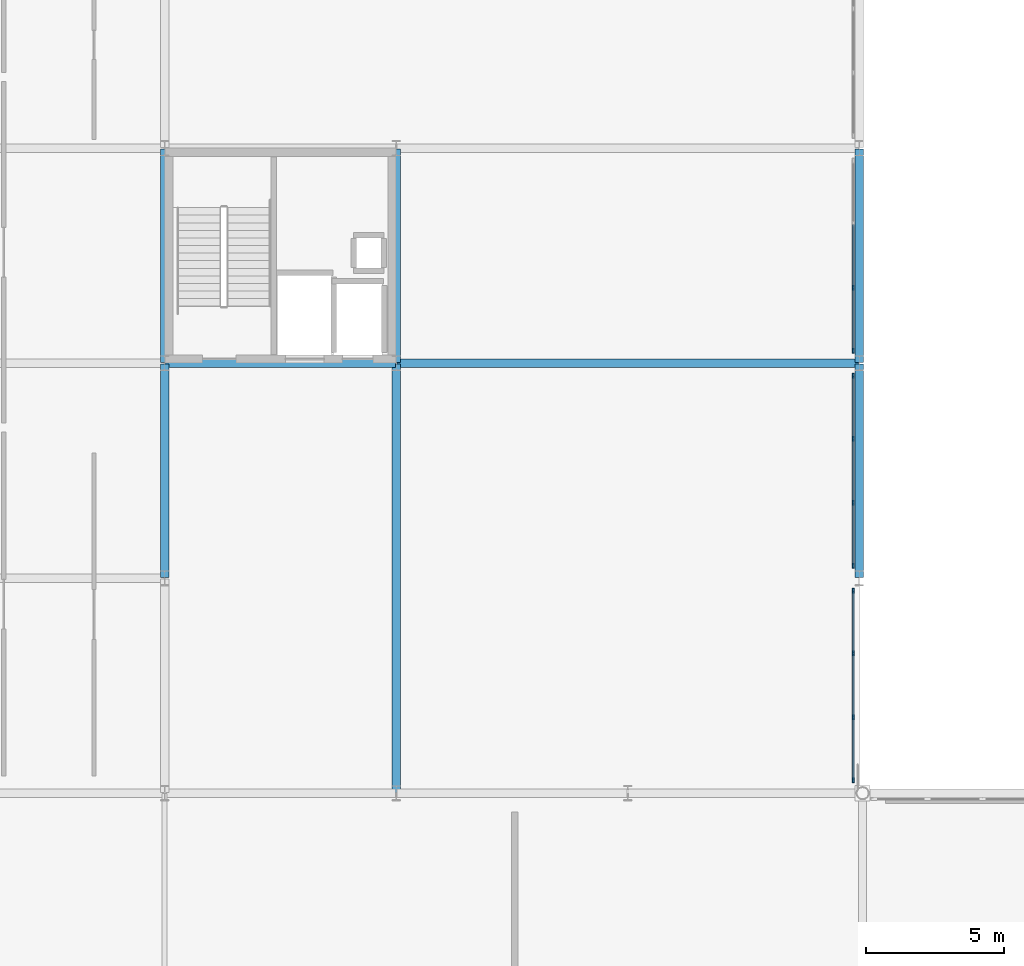
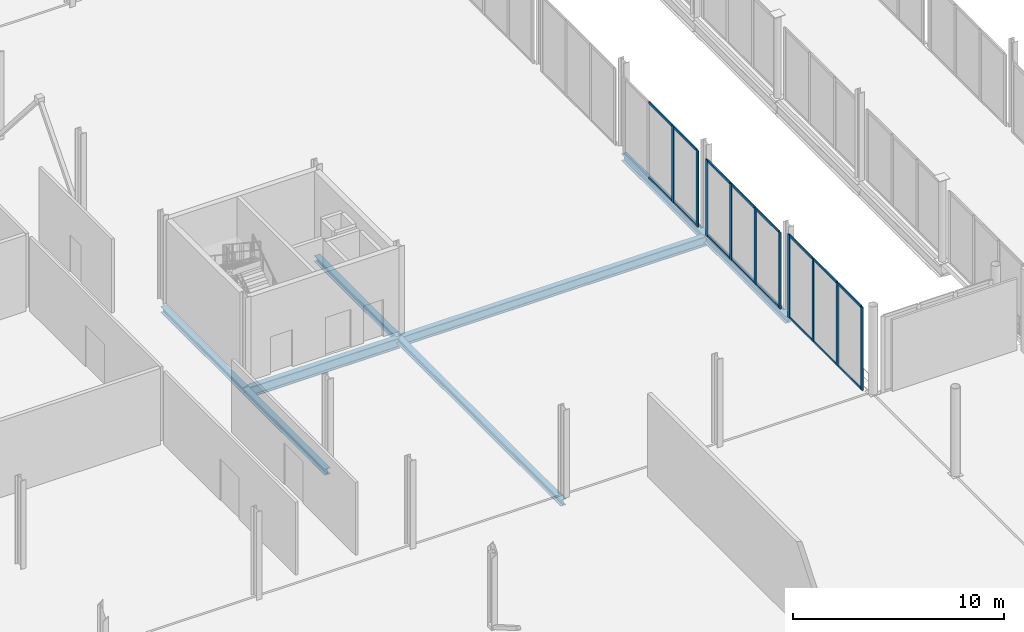
# One storey, part 32 of 105: 26 members, 8 beams, 3 elements without a shape of their own.
"""IFC4 building model written with IfcOpenShell, lengths in metres."""

from ifc_helpers import new_model, si_unit, direction, frame, origin, origin_2d, place, context, subcontext, project, spatial, rectangle, i_section, extrude, material, material_profile, profile_set, type_object, element, aggregate, save


model = new_model("IFC4")

# Units and contexts
model_context = context("Model", 3, precision=1e-05, world=origin(), true_north=direction((0.0, 1.0)))
body_context = subcontext(model_context, "Body", "Model", "MODEL_VIEW")
ifc_project = project(units=[si_unit("LENGTHUNIT", "METRE"), si_unit("AREAUNIT", "SQUARE_METRE"), si_unit("VOLUMEUNIT", "CUBIC_METRE"), si_unit("PLANEANGLEUNIT", "RADIAN"), si_unit("MASSUNIT", "GRAM", prefix="KILO")], contexts=[model_context])

# Site, building, storey
site_placement = place(None, origin())
site = spatial("IfcSite", under=ifc_project, at=site_placement, CompositionType="ELEMENT")
building_placement = place(site_placement, origin())
building = spatial("IfcBuilding", under=site, at=building_placement, Name="Nabrawat Pavilion Hospital", CompositionType="ELEMENT")
storey_placement = place(building_placement, frame((0.0, 0.0, 5.10009765625)))
storey = spatial("IfcBuildingStorey", under=building, at=storey_placement, Name="L01", CompositionType="ELEMENT", Elevation=5.10009765625)

# Curtain wall, members
ifc_material_1 = material(Name="Anodised Aluminium", Category="aluminium")
curtain_wall_type = type_object("IfcCurtainWallType", Name="Healing Garden Cloister Curtain Wall", PredefinedType="USERDEFINED", material=ifc_material_1)
curtain_wall_1_placement = place(storey_placement, origin())
curtain_wall_1 = element("IfcCurtainWall", 1, at=curtain_wall_1_placement, inside=storey, type_object=curtain_wall_type, Name="L01 Healing Garden Cloister Curtain Wall 043", ObjectType="CURTAIN WALL", PredefinedType="USERDEFINED")
ifc_material_profile_1 = material_profile(ifc_material_1, rectangle(XDim=0.06494140625, YDim=0.179931640625, at=origin_2d()), Name="CWM 65x180")
ifc_profile_set_1 = profile_set([ifc_material_profile_1], Name="Anodised Aluminium")
member_type_1 = type_object("IfcMemberType", Name="Healing Garden Cloister Curtain Wall Mullion CWM 65x180", PredefinedType="MULLION", material=ifc_profile_set_1)
member_1_placement = place(storey_placement, frame((58.580078125, 39.472412109375, 0.0), z_axis=(0.0, 0.0, 1.0), x_axis=(-1.0, 0.0, 0.0)))
member_1 = element("IfcMember", 2, at=member_1_placement, type_object=member_type_1, Name="CW-CLN-01 mullion 1", PredefinedType="MULLION", context=body_context, shape_type="SweptSolid", body=[
    extrude(rectangle(XDim=0.06494140625, YDim=0.179931640625, at=origin_2d()), origin(), (0.0, 0.0, 1.0), 4.809814453125),
])
member_2_placement = place(storey_placement, frame((58.580078125, 41.7548828125, 0.0), z_axis=(0.0, 0.0, 1.0), x_axis=(-1.0, 0.0, 0.0)))
member_2 = element("IfcMember", 3, at=member_2_placement, type_object=member_type_1, Name="CW-CLN-01 mullion 2", PredefinedType="MULLION", context=body_context, shape_type="SweptSolid", body=[
    extrude(rectangle(XDim=0.06494140625, YDim=0.179931640625, at=origin_2d()), origin(), (0.0, 0.0, 1.0), 4.809814453125),
])
member_3_placement = place(storey_placement, frame((58.580078125, 44.070068359375, 0.0), z_axis=(0.0, 0.0, 1.0), x_axis=(-1.0, 0.0, 0.0)))
member_3 = element("IfcMember", 4, at=member_3_placement, type_object=member_type_1, Name="CW-CLN-01 mullion 3", PredefinedType="MULLION", context=body_context, shape_type="SweptSolid", body=[
    extrude(rectangle(XDim=0.06494140625, YDim=0.179931640625, at=origin_2d()), origin(), (0.0, 0.0, 1.0), 4.809814453125),
])
member_4_placement = place(storey_placement, frame((58.580078125, 46.3525390625, 0.0), z_axis=(0.0, 0.0, 1.0), x_axis=(-1.0, 0.0, 0.0)))
member_4 = element("IfcMember", 5, at=member_4_placement, type_object=member_type_1, Name="CW-CLN-01 mullion 4", PredefinedType="MULLION", context=body_context, shape_type="SweptSolid", body=[
    extrude(rectangle(XDim=0.06494140625, YDim=0.179931640625, at=origin_2d()), origin(), (0.0, 0.0, 1.0), 4.809814453125),
])

curtain_wall_2_placement = place(storey_placement, origin())
curtain_wall_2 = element("IfcCurtainWall", 6, at=curtain_wall_2_placement, inside=storey, type_object=curtain_wall_type, Name="L01 Healing Garden Cloister Curtain Wall 044", ObjectType="CURTAIN WALL", PredefinedType="USERDEFINED")
member_5_placement = place(storey_placement, frame((58.580078125, 47.24755859375, 0.0), z_axis=(0.0, 0.0, 1.0), x_axis=(-1.0, 0.0, 0.0)))
member_5 = element("IfcMember", 7, at=member_5_placement, type_object=member_type_1, Name="CW-CLN-01 mullion 1", PredefinedType="MULLION", context=body_context, shape_type="SweptSolid", body=[
    extrude(rectangle(XDim=0.06494140625, YDim=0.179931640625, at=origin_2d()), origin(), (0.0, 0.0, 1.0), 4.419921875),
])
member_6_placement = place(storey_placement, frame((58.580078125, 49.538330078125, 0.0), z_axis=(0.0, 0.0, 1.0), x_axis=(-1.0, 0.0, 0.0)))
member_6 = element("IfcMember", 8, at=member_6_placement, type_object=member_type_1, Name="CW-CLN-01 mullion 2", PredefinedType="MULLION", context=body_context, shape_type="SweptSolid", body=[
    extrude(rectangle(XDim=0.06494140625, YDim=0.179931640625, at=origin_2d()), origin(), (0.0, 0.0, 1.0), 4.419921875),
])
member_7_placement = place(storey_placement, frame((58.580078125, 51.861572265625, 0.0), z_axis=(0.0, 0.0, 1.0), x_axis=(-1.0, 0.0, 0.0)))
member_7 = element("IfcMember", 9, at=member_7_placement, type_object=member_type_1, Name="CW-CLN-01 mullion 3", PredefinedType="MULLION", context=body_context, shape_type="SweptSolid", body=[
    extrude(rectangle(XDim=0.06494140625, YDim=0.179931640625, at=origin_2d()), origin(), (0.0, 0.0, 1.0), 4.419921875),
])
member_8_placement = place(storey_placement, frame((58.580078125, 54.152587890625, 0.0), z_axis=(0.0, 0.0, 1.0), x_axis=(-1.0, 0.0, 0.0)))
member_8 = element("IfcMember", 10, at=member_8_placement, type_object=member_type_1, Name="CW-CLN-01 mullion 4", PredefinedType="MULLION", context=body_context, shape_type="SweptSolid", body=[
    extrude(rectangle(XDim=0.06494140625, YDim=0.179931640625, at=origin_2d()), origin(), (0.0, 0.0, 1.0), 4.419921875),
])

curtain_wall_3_placement = place(storey_placement, origin())
curtain_wall_3 = element("IfcCurtainWall", 11, at=curtain_wall_3_placement, inside=storey, type_object=curtain_wall_type, Name="L01 Healing Garden Cloister Curtain Wall 045", ObjectType="CURTAIN WALL", PredefinedType="USERDEFINED")
member_9_placement = place(storey_placement, frame((58.580078125, 55.047607421875, 0.0), z_axis=(0.0, 0.0, 1.0), x_axis=(-1.0, 0.0, 0.0)))
member_9 = element("IfcMember", 12, at=member_9_placement, type_object=member_type_1, Name="CW-CLN-01 mullion 1", PredefinedType="MULLION", context=body_context, shape_type="SweptSolid", body=[
    extrude(rectangle(XDim=0.06494140625, YDim=0.179931640625, at=origin_2d()), origin(), (0.0, 0.0, 1.0), 4.419921875),
])
member_10_placement = place(storey_placement, frame((58.580078125, 57.33837890625, 0.0), z_axis=(0.0, 0.0, 1.0), x_axis=(-1.0, 0.0, 0.0)))
member_10 = element("IfcMember", 13, at=member_10_placement, type_object=member_type_1, Name="CW-CLN-01 mullion 2", PredefinedType="MULLION", context=body_context, shape_type="SweptSolid", body=[
    extrude(rectangle(XDim=0.06494140625, YDim=0.179931640625, at=origin_2d()), origin(), (0.0, 0.0, 1.0), 4.419921875),
])

# Member
ifc_material_profile_2 = material_profile(ifc_material_1, rectangle(XDim=0.06494140625, YDim=0.135009765625, at=origin_2d()), Name="CWT 65x135")
ifc_profile_set_2 = profile_set([ifc_material_profile_2], Name="Anodised Aluminium")
member_type_2 = type_object("IfcMemberType", Name="Healing Garden Cloister Curtain Wall Transom CWT 65x135", PredefinedType="USERDEFINED", material=ifc_profile_set_2)
member_11_placement = place(storey_placement, frame((58.580078125, 39.5048828125, 0.032470703125), z_axis=(0.0, 1.0, 0.0), x_axis=(-1.0, 0.0, 0.0)))
member_11 = element("IfcMember", 14, at=member_11_placement, type_object=member_type_2, Name="CW-CLN-01 transom 1.1", ObjectType="TRANSOM", PredefinedType="USERDEFINED", context=body_context, shape_type="SweptSolid", body=[
    extrude(rectangle(XDim=0.06494140625, YDim=0.135009765625, at=origin_2d()), origin(), (0.0, 0.0, 1.0), 2.217529296875),
])

member_12_placement = place(storey_placement, frame((58.580078125, 39.5048828125, 4.77734375), z_axis=(0.0, 1.0, 0.0), x_axis=(-1.0, 0.0, 0.0)))
member_12 = element("IfcMember", 15, at=member_12_placement, type_object=member_type_2, Name="CW-CLN-01 transom 1.2", ObjectType="TRANSOM", PredefinedType="USERDEFINED", context=body_context, shape_type="SweptSolid", body=[
    extrude(rectangle(XDim=0.06494140625, YDim=0.135009765625, at=origin_2d()), origin(), (0.0, 0.0, 1.0), 2.217529296875),
])

member_13_placement = place(storey_placement, frame((58.580078125, 41.78759765625, 0.032470703125), z_axis=(0.0, 1.0, 0.0), x_axis=(-1.0, 0.0, 0.0)))
member_13 = element("IfcMember", 16, at=member_13_placement, type_object=member_type_2, Name="CW-CLN-01 transom 2.1", ObjectType="TRANSOM", PredefinedType="USERDEFINED", context=body_context, shape_type="SweptSolid", body=[
    extrude(rectangle(XDim=0.06494140625, YDim=0.135009765625, at=origin_2d()), origin(), (0.0, 0.0, 1.0), 2.25),
])

member_14_placement = place(storey_placement, frame((58.580078125, 41.78759765625, 4.77734375), z_axis=(0.0, 1.0, 0.0), x_axis=(-1.0, 0.0, 0.0)))
member_14 = element("IfcMember", 17, at=member_14_placement, type_object=member_type_2, Name="CW-CLN-01 transom 2.2", ObjectType="TRANSOM", PredefinedType="USERDEFINED", context=body_context, shape_type="SweptSolid", body=[
    extrude(rectangle(XDim=0.06494140625, YDim=0.135009765625, at=origin_2d()), origin(), (0.0, 0.0, 1.0), 2.25),
])

member_15_placement = place(storey_placement, frame((58.580078125, 44.1025390625, 0.032470703125), z_axis=(0.0, 1.0, 0.0), x_axis=(-1.0, 0.0, 0.0)))
member_15 = element("IfcMember", 18, at=member_15_placement, type_object=member_type_2, Name="CW-CLN-01 transom 3.1", ObjectType="TRANSOM", PredefinedType="USERDEFINED", context=body_context, shape_type="SweptSolid", body=[
    extrude(rectangle(XDim=0.06494140625, YDim=0.135009765625, at=origin_2d()), origin(), (0.0, 0.0, 1.0), 2.217529296875),
])

member_16_placement = place(storey_placement, frame((58.580078125, 44.1025390625, 4.77734375), z_axis=(0.0, 1.0, 0.0), x_axis=(-1.0, 0.0, 0.0)))
member_16 = element("IfcMember", 19, at=member_16_placement, type_object=member_type_2, Name="CW-CLN-01 transom 3.2", ObjectType="TRANSOM", PredefinedType="USERDEFINED", context=body_context, shape_type="SweptSolid", body=[
    extrude(rectangle(XDim=0.06494140625, YDim=0.135009765625, at=origin_2d()), origin(), (0.0, 0.0, 1.0), 2.217529296875),
])

aggregate(curtain_wall_1, [member_1, member_2, member_3, member_4, member_11, member_12, member_13, member_14, member_15, member_16])

member_17_placement = place(storey_placement, frame((58.580078125, 47.280029296875, 0.032470703125), z_axis=(0.0, 1.0, 0.0), x_axis=(-1.0, 0.0, 0.0)))
member_17 = element("IfcMember", 20, at=member_17_placement, type_object=member_type_2, Name="CW-CLN-01 transom 1.1", ObjectType="TRANSOM", PredefinedType="USERDEFINED", context=body_context, shape_type="SweptSolid", body=[
    extrude(rectangle(XDim=0.06494140625, YDim=0.135009765625, at=origin_2d()), origin(), (0.0, 0.0, 1.0), 2.225830078125),
])

member_18_placement = place(storey_placement, frame((58.580078125, 47.280029296875, 4.387451171875), z_axis=(0.0, 1.0, 0.0), x_axis=(-1.0, 0.0, 0.0)))
member_18 = element("IfcMember", 21, at=member_18_placement, type_object=member_type_2, Name="CW-CLN-01 transom 1.2", ObjectType="TRANSOM", PredefinedType="USERDEFINED", context=body_context, shape_type="SweptSolid", body=[
    extrude(rectangle(XDim=0.06494140625, YDim=0.135009765625, at=origin_2d()), origin(), (0.0, 0.0, 1.0), 2.225830078125),
])

member_19_placement = place(storey_placement, frame((58.580078125, 49.57080078125, 0.032470703125), z_axis=(0.0, 1.0, 0.0), x_axis=(-1.0, 0.0, 0.0)))
member_19 = element("IfcMember", 22, at=member_19_placement, type_object=member_type_2, Name="CW-CLN-01 transom 2.1", ObjectType="TRANSOM", PredefinedType="USERDEFINED", context=body_context, shape_type="SweptSolid", body=[
    extrude(rectangle(XDim=0.06494140625, YDim=0.135009765625, at=origin_2d()), origin(), (0.0, 0.0, 1.0), 2.25830078125),
])

member_20_placement = place(storey_placement, frame((58.580078125, 49.57080078125, 4.387451171875), z_axis=(0.0, 1.0, 0.0), x_axis=(-1.0, 0.0, 0.0)))
member_20 = element("IfcMember", 23, at=member_20_placement, type_object=member_type_2, Name="CW-CLN-01 transom 2.2", ObjectType="TRANSOM", PredefinedType="USERDEFINED", context=body_context, shape_type="SweptSolid", body=[
    extrude(rectangle(XDim=0.06494140625, YDim=0.135009765625, at=origin_2d()), origin(), (0.0, 0.0, 1.0), 2.25830078125),
])

member_21_placement = place(storey_placement, frame((58.580078125, 51.894287109375, 0.032470703125), z_axis=(0.0, 1.0, 0.0), x_axis=(-1.0, 0.0, 0.0)))
member_21 = element("IfcMember", 24, at=member_21_placement, type_object=member_type_2, Name="CW-CLN-01 transom 3.1", ObjectType="TRANSOM", PredefinedType="USERDEFINED", context=body_context, shape_type="SweptSolid", body=[
    extrude(rectangle(XDim=0.06494140625, YDim=0.135009765625, at=origin_2d()), origin(), (0.0, 0.0, 1.0), 2.225830078125),
])

member_22_placement = place(storey_placement, frame((58.580078125, 51.894287109375, 4.387451171875), z_axis=(0.0, 1.0, 0.0), x_axis=(-1.0, 0.0, 0.0)))
member_22 = element("IfcMember", 25, at=member_22_placement, type_object=member_type_2, Name="CW-CLN-01 transom 3.2", ObjectType="TRANSOM", PredefinedType="USERDEFINED", context=body_context, shape_type="SweptSolid", body=[
    extrude(rectangle(XDim=0.06494140625, YDim=0.135009765625, at=origin_2d()), origin(), (0.0, 0.0, 1.0), 2.225830078125),
])

aggregate(curtain_wall_2, [member_5, member_6, member_7, member_8, member_17, member_18, member_19, member_20, member_21, member_22])

member_23_placement = place(storey_placement, frame((58.580078125, 55.080078125, 0.032470703125), z_axis=(0.0, 1.0, 0.0), x_axis=(-1.0, 0.0, 0.0)))
member_23 = element("IfcMember", 26, at=member_23_placement, type_object=member_type_2, Name="CW-CLN-01 transom 1.1", ObjectType="TRANSOM", PredefinedType="USERDEFINED", context=body_context, shape_type="SweptSolid", body=[
    extrude(rectangle(XDim=0.06494140625, YDim=0.135009765625, at=origin_2d()), origin(), (0.0, 0.0, 1.0), 2.225830078125),
])

member_24_placement = place(storey_placement, frame((58.580078125, 55.080078125, 4.387451171875), z_axis=(0.0, 1.0, 0.0), x_axis=(-1.0, 0.0, 0.0)))
member_24 = element("IfcMember", 27, at=member_24_placement, type_object=member_type_2, Name="CW-CLN-01 transom 1.2", ObjectType="TRANSOM", PredefinedType="USERDEFINED", context=body_context, shape_type="SweptSolid", body=[
    extrude(rectangle(XDim=0.06494140625, YDim=0.135009765625, at=origin_2d()), origin(), (0.0, 0.0, 1.0), 2.225830078125),
])

member_25_placement = place(storey_placement, frame((58.580078125, 57.370849609375, 0.032470703125), z_axis=(0.0, 1.0, 0.0), x_axis=(-1.0, 0.0, 0.0)))
member_25 = element("IfcMember", 28, at=member_25_placement, type_object=member_type_2, Name="CW-CLN-01 transom 2.1", ObjectType="TRANSOM", PredefinedType="USERDEFINED", context=body_context, shape_type="SweptSolid", body=[
    extrude(rectangle(XDim=0.06494140625, YDim=0.135009765625, at=origin_2d()), origin(), (0.0, 0.0, 1.0), 2.25830078125),
])

member_26_placement = place(storey_placement, frame((58.580078125, 57.370849609375, 4.387451171875), z_axis=(0.0, 1.0, 0.0), x_axis=(-1.0, 0.0, 0.0)))
member_26 = element("IfcMember", 29, at=member_26_placement, type_object=member_type_2, Name="CW-CLN-01 transom 2.2", ObjectType="TRANSOM", PredefinedType="USERDEFINED", context=body_context, shape_type="SweptSolid", body=[
    extrude(rectangle(XDim=0.06494140625, YDim=0.135009765625, at=origin_2d()), origin(), (0.0, 0.0, 1.0), 2.25830078125),
])

aggregate(curtain_wall_3, [member_9, member_10, member_23, member_24, member_25, member_26])

# Beams
ifc_material_2 = material(Name="Steel S355", Category="steel")
ifc_material_profile_3 = material_profile(ifc_material_2, i_section(OverallWidth=0.300048828125, OverallDepth=0.389892578125, WebThickness=0.010986328125, FlangeThickness=0.01904296875, FilletRadius=0.027099609375, at=origin_2d()), Name="HEA 400")
ifc_profile_set_3 = profile_set([ifc_material_profile_3], Name="Steel S355")
beam_type_1 = type_object("IfcBeamType", Name="Perimeter Moment Spandrel Beam HEA 400", PredefinedType="SPANDREL", material=ifc_profile_set_3)
beam_1_placement = place(storey_placement, frame((58.800048828125, 46.820068359375, -0.465087890625), z_axis=(0.0, 1.0, 0.0), x_axis=(-1.0, 0.0, 0.0)))
element("IfcBeam", 30, at=beam_1_placement, inside=storey, type_object=beam_type_1, Name="L01 Primary Y Beam 748", PredefinedType="SPANDREL", context=body_context, shape_type="SweptSolid", body=[
    extrude(i_section(OverallWidth=0.300048828125, OverallDepth=0.389892578125, WebThickness=0.010986328125, FlangeThickness=0.01904296875, FilletRadius=0.027099609375, at=origin_2d()), origin(), (0.0, 0.0, 1.0), 7.760009765625),
])
beam_2_placement = place(storey_placement, frame((58.800048828125, 54.6201171875, -0.465087890625), z_axis=(0.0, 1.0, 0.0), x_axis=(-1.0, 0.0, 0.0)))
element("IfcBeam", 31, at=beam_2_placement, inside=storey, type_object=beam_type_1, Name="L01 Primary Y Beam 749", PredefinedType="SPANDREL", context=body_context, shape_type="SweptSolid", body=[
    extrude(i_section(OverallWidth=0.300048828125, OverallDepth=0.389892578125, WebThickness=0.010986328125, FlangeThickness=0.01904296875, FilletRadius=0.027099609375, at=origin_2d()), origin(), (0.0, 0.0, 1.0), 7.759765625),
])
ifc_material_profile_4 = material_profile(ifc_material_2, i_section(OverallWidth=0.300048828125, OverallDepth=0.550048828125, WebThickness=0.014892578125, FlangeThickness=0.029052734375, FilletRadius=0.027099609375, at=origin_2d()), Name="HEB 550")
ifc_profile_set_4 = profile_set([ifc_material_profile_4], Name="Steel S355")
beam_type_2 = type_object("IfcBeamType", Name="Primary Floor Girder HEB 550", PredefinedType="USERDEFINED", material=ifc_profile_set_4)
beam_3_placement = place(storey_placement, frame((42.02001953125, 54.60009765625, -0.545166015625), z_axis=(1.0, 0.0, 0.0), x_axis=(0.0, 1.0, 0.0)))
element("IfcBeam", 32, at=beam_3_placement, inside=storey, type_object=beam_type_2, Name="L01 Primary X Girder 551", ObjectType="GIRDER", PredefinedType="USERDEFINED", context=body_context, shape_type="SweptSolid", body=[
    extrude(i_section(OverallWidth=0.300048828125, OverallDepth=0.550048828125, WebThickness=0.014892578125, FlangeThickness=0.029052734375, FilletRadius=0.027099609375, at=origin_2d()), origin(), (0.0, 0.0, 1.0), 16.760009765625),
])
ifc_material_profile_5 = material_profile(ifc_material_2, i_section(OverallWidth=0.300048828125, OverallDepth=0.60009765625, WebThickness=0.015380859375, FlangeThickness=0.030029296875, FilletRadius=0.027099609375, at=origin_2d()), Name="HEB 600")
ifc_profile_set_5 = profile_set([ifc_material_profile_5], Name="Steel S355")
beam_type_3 = type_object("IfcBeamType", Name="Primary Long-Span Girder HEB 600", PredefinedType="USERDEFINED", material=ifc_profile_set_5)
beam_4_placement = place(storey_placement, frame((33.6201171875, 54.60009765625, -0.570068359375), z_axis=(1.0, 0.0, 0.0), x_axis=(0.0, 1.0, 0.0)))
element("IfcBeam", 33, at=beam_4_placement, inside=storey, type_object=beam_type_3, Name="L01 Primary X Girder 550", ObjectType="GIRDER", PredefinedType="USERDEFINED", context=body_context, shape_type="SweptSolid", body=[
    extrude(i_section(OverallWidth=0.300048828125, OverallDepth=0.60009765625, WebThickness=0.015380859375, FlangeThickness=0.030029296875, FilletRadius=0.027099609375, at=origin_2d()), origin(), (0.0, 0.0, 1.0), 8.35986328125),
])
ifc_material_profile_6 = material_profile(ifc_material_2, i_section(OverallWidth=0.300048828125, OverallDepth=0.35009765625, WebThickness=0.009521484375, FlangeThickness=0.017578125, FilletRadius=0.027099609375, at=origin_2d()), Name="HEA 360")
ifc_profile_set_6 = profile_set([ifc_material_profile_6], Name="Steel S355")
beam_type_4 = type_object("IfcBeamType", Name="Surgical Stiffened Beam HEA 360", PredefinedType="BEAM", material=ifc_profile_set_6)
beam_5_placement = place(storey_placement, frame((33.60009765625, 46.820068359375, -0.445068359375), z_axis=(0.0, 1.0, 0.0), x_axis=(-1.0, 0.0, 0.0)))
element("IfcBeam", 34, at=beam_5_placement, inside=storey, type_object=beam_type_4, Name="L01 Primary Y Beam 736", PredefinedType="BEAM", context=body_context, shape_type="SweptSolid", body=[
    extrude(i_section(OverallWidth=0.300048828125, OverallDepth=0.35009765625, WebThickness=0.009521484375, FlangeThickness=0.017578125, FilletRadius=0.027099609375, at=origin_2d()), origin(), (0.0, 0.0, 1.0), 7.760009765625),
])
beam_6_placement = place(storey_placement, frame((33.60009765625, 54.6201171875, -0.445068359375), z_axis=(0.0, 1.0, 0.0), x_axis=(-1.0, 0.0, 0.0)))
element("IfcBeam", 35, at=beam_6_placement, inside=storey, type_object=beam_type_4, Name="L01 Primary Y Beam 737", PredefinedType="BEAM", context=body_context, shape_type="SweptSolid", body=[
    extrude(i_section(OverallWidth=0.300048828125, OverallDepth=0.35009765625, WebThickness=0.009521484375, FlangeThickness=0.017578125, FilletRadius=0.027099609375, at=origin_2d()), origin(), (0.0, 0.0, 1.0), 7.759765625),
])
beam_7_placement = place(storey_placement, frame((42.0, 39.02001953125, -0.445068359375), z_axis=(0.0, 1.0, 0.0), x_axis=(-1.0, 0.0, 0.0)))
element("IfcBeam", 36, at=beam_7_placement, inside=storey, type_object=beam_type_4, Name="L01 Primary Y Beam 745", PredefinedType="BEAM", context=body_context, shape_type="SweptSolid", body=[
    extrude(i_section(OverallWidth=0.300048828125, OverallDepth=0.35009765625, WebThickness=0.009521484375, FlangeThickness=0.017578125, FilletRadius=0.027099609375, at=origin_2d()), origin(), (0.0, 0.0, 1.0), 15.56005859375),
])
beam_8_placement = place(storey_placement, frame((42.0, 54.6201171875, -0.445068359375), z_axis=(0.0, 1.0, 0.0), x_axis=(-1.0, 0.0, 0.0)))
element("IfcBeam", 37, at=beam_8_placement, inside=storey, type_object=beam_type_4, Name="L01 Primary Y Beam 746", PredefinedType="BEAM", context=body_context, shape_type="SweptSolid", body=[
    extrude(i_section(OverallWidth=0.300048828125, OverallDepth=0.35009765625, WebThickness=0.009521484375, FlangeThickness=0.017578125, FilletRadius=0.027099609375, at=origin_2d()), origin(), (0.0, 0.0, 1.0), 7.759765625),
])

save(model, "model.ifc")
